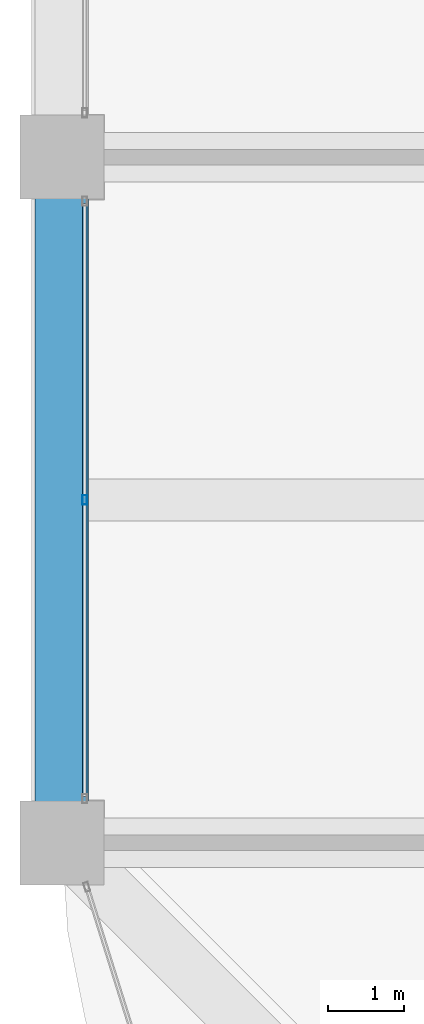
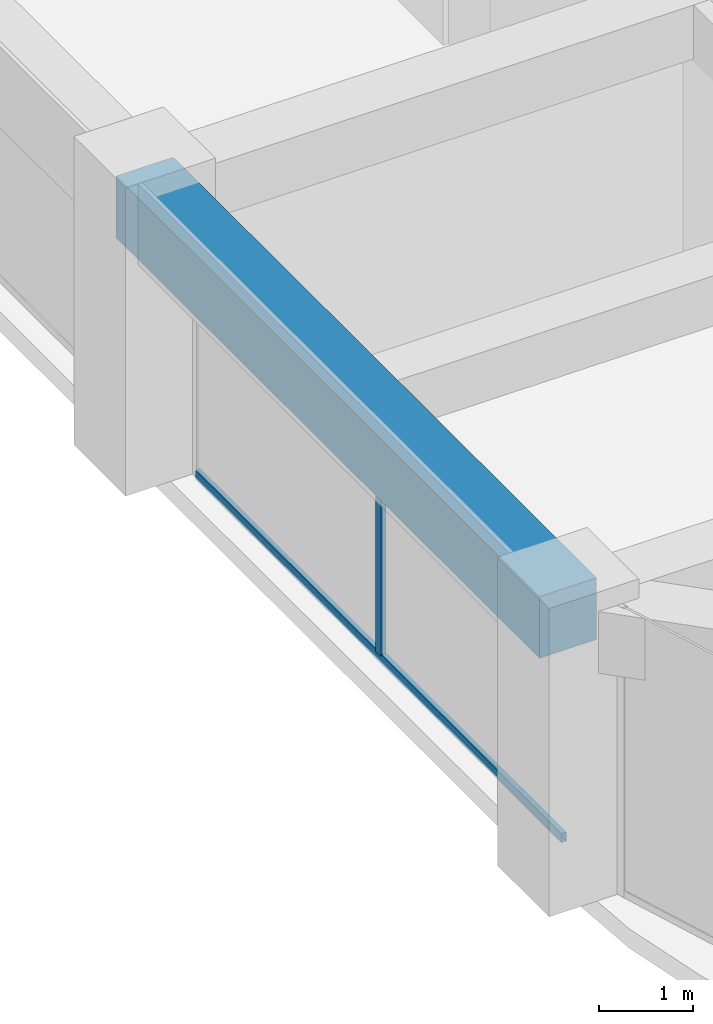
# One storey, part 7 of 44: 2 members, 1 beam, 1 element without a shape of its own.
"""IFC4 building model written with IfcOpenShell, lengths in metres."""

from ifc_helpers import new_model, si_unit, direction, frame, origin, origin_2d, place, context, subcontext, project, spatial, rectangle, hollow_rectangle, extrude, material, material_profile, profile_set, type_object, element, aggregate, save


model = new_model("IFC4")

# Units and contexts
model_context = context("Model", 3, precision=1e-05, world=origin(), true_north=direction((0.0, 1.0)))
body_context = subcontext(model_context, "Body", "Model", "MODEL_VIEW")
ifc_project = project(units=[si_unit("LENGTHUNIT", "METRE"), si_unit("AREAUNIT", "SQUARE_METRE"), si_unit("VOLUMEUNIT", "CUBIC_METRE"), si_unit("PLANEANGLEUNIT", "RADIAN"), si_unit("MASSUNIT", "GRAM", prefix="KILO")], contexts=[model_context])

# Site, building, storey
site_placement = place(None, origin())
site = spatial("IfcSite", under=ifc_project, at=site_placement, CompositionType="ELEMENT")
building_placement = place(site_placement, origin())
building = spatial("IfcBuilding", under=site, at=building_placement, Name="Zorevar Civic Tower", CompositionType="ELEMENT")
storey_placement = place(building_placement, frame((0.0, 0.0, 267.39990234375)))
storey = spatial("IfcBuildingStorey", under=building, at=storey_placement, Name="L65", CompositionType="ELEMENT", Elevation=267.39990234375)

# Curtain wall, members
ifc_material_1 = material(Name="Dark grey solar-control glass in black aluminium frame", Category="aluminium")
curtain_wall_type = type_object("IfcCurtainWallType", Name="Curtain wall CW5 top zone", PredefinedType="NOTDEFINED", material=ifc_material_1)
curtain_wall_placement = place(storey_placement, origin())
curtain_wall = element("IfcCurtainWall", 1, at=curtain_wall_placement, inside=storey, type_object=curtain_wall_type, Name="CW5 L65", PredefinedType="NOTDEFINED")
ifc_material_2 = material(Name="Aluminium, black anodised", Category="aluminium")
ifc_material_profile_1 = material_profile(ifc_material_2, hollow_rectangle(XDim=0.06005859375, YDim=0.1201171875, WallThickness=0.0029296875, at=origin_2d()), Name="AL 120x60x3")
ifc_profile_set_1 = profile_set([ifc_material_profile_1], Name="Aluminium, black anodised")
member_type_1 = type_object("IfcMemberType", Name="CW5 mullion AL 120x60x3", PredefinedType="MULLION", material=ifc_profile_set_1)
member_1_placement = place(storey_placement, frame((9.300048828125, 13.5, 0.06005859375), z_axis=(0.0, 0.0, 1.0), x_axis=(-1.0, 0.0, 0.0)))
member_1 = element("IfcMember", 2, at=member_1_placement, type_object=member_type_1, Name="CW5 mullion 2", PredefinedType="MULLION", context=body_context, shape_type="SweptSolid", body=[
    extrude(hollow_rectangle(XDim=0.06005859375, YDim=0.1201171875, WallThickness=0.0029296875, at=origin_2d()), origin(), (0.0, 0.0, 1.0), 2.89013671875),
])
ifc_material_3 = material(Name="Aluminium, black anodised", Category="aluminium")
ifc_material_profile_2 = material_profile(ifc_material_3, hollow_rectangle(XDim=0.06005859375, YDim=0.1201171875, WallThickness=0.0029296875, at=origin_2d()), Name="AL 120x60x3")
ifc_profile_set_2 = profile_set([ifc_material_profile_2], Name="Aluminium, black anodised")
member_type_2 = type_object("IfcMemberType", Name="CW5 transom AL 120x60x3", PredefinedType="USERDEFINED", material=ifc_profile_set_2)
member_2_placement = place(storey_placement, frame((9.300048828125, 9.610107421875, 0.030029296875), z_axis=(0.0, 1.0, 0.0), x_axis=(-1.0, 0.0, 0.0)))
member_2 = element("IfcMember", 3, at=member_2_placement, type_object=member_type_2, Name="CW5 sill transom", ObjectType="TRANSOM", PredefinedType="USERDEFINED", context=body_context, shape_type="SweptSolid", body=[
    extrude(hollow_rectangle(XDim=0.06005859375, YDim=0.1201171875, WallThickness=0.0029296875, at=origin_2d()), origin(), (0.0, 0.0, 1.0), 7.77978515625),
])
aggregate(curtain_wall, [member_1, member_2])

# Beam
ifc_material_4 = material(Name="Concrete C50/60", Category="concrete")
ifc_material_profile_3 = material_profile(ifc_material_4, rectangle(XDim=0.699951171875, YDim=0.800048828125, at=origin_2d()), Name="RC 700x800")
ifc_profile_set_3 = profile_set([ifc_material_profile_3], Name="Concrete C50/60")
beam_type = type_object("IfcBeamType", Name="Edge beam RC 700x800", PredefinedType="SPANDREL", material=ifc_profile_set_3)
beam_placement = place(storey_placement, frame((9.0, 9.0, 3.35009765625), z_axis=(0.0, 1.0, 0.0), x_axis=(-1.0, 0.0, 0.0)))
element("IfcBeam", 4, at=beam_placement, inside=storey, type_object=beam_type, Name="Edge beam L66", PredefinedType="SPANDREL", context=body_context, shape_type="SweptSolid", body=[
    extrude(rectangle(XDim=0.699951171875, YDim=0.800048828125, at=origin_2d()), origin(), (0.0, 0.0, 1.0), 9.0),
])

save(model, "model.ifc")
